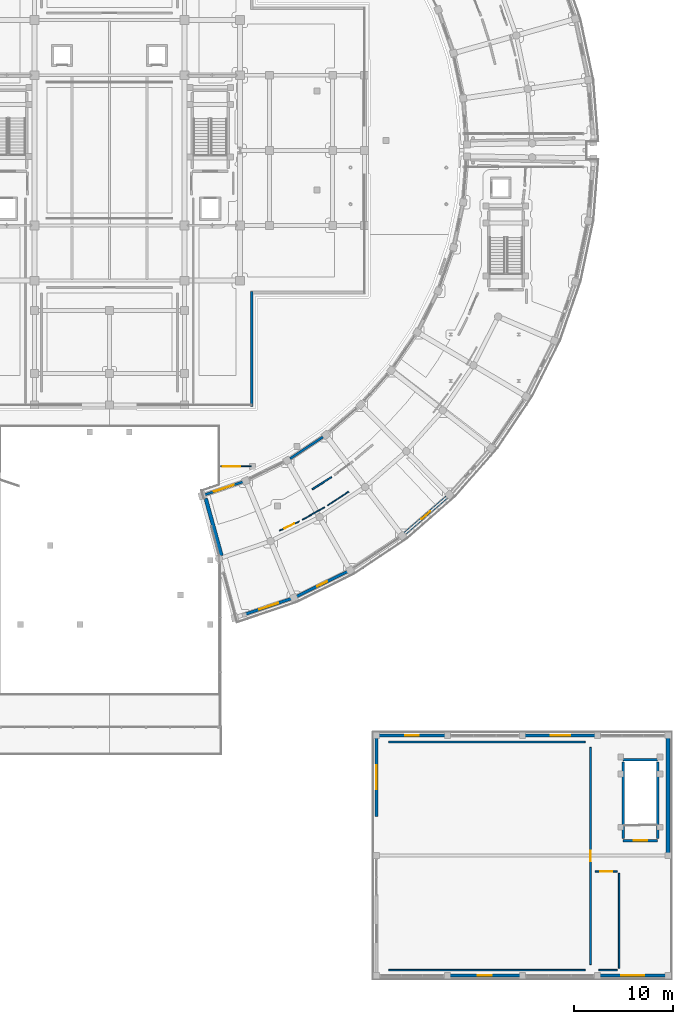
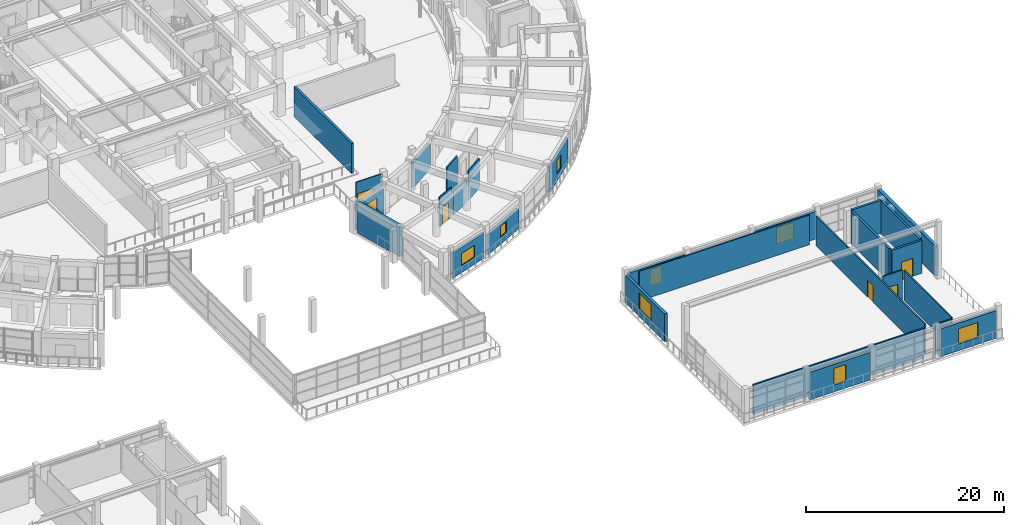
# One storey, part 57 of 87: 28 walls, 9 windows, 5 doors, 14 openings.
"""IFC4 building model written with IfcOpenShell, lengths in metres."""

from ifc_helpers import new_model, si_unit, direction, frame, frame_2d, origin, place, context, subcontext, project, spatial, rectangle, extrude, material, layer, layer_set, type_object, element, fill, save


model = new_model("IFC4")

# Units and contexts
model_context = context("Model", 3, precision=1e-05, world=origin(), true_north=direction((0.0, 1.0)))
body_context = subcontext(model_context, "Body", "Model", "MODEL_VIEW")
ifc_project = project(units=[si_unit("LENGTHUNIT", "METRE"), si_unit("AREAUNIT", "SQUARE_METRE"), si_unit("VOLUMEUNIT", "CUBIC_METRE"), si_unit("PLANEANGLEUNIT", "RADIAN"), si_unit("MASSUNIT", "GRAM", prefix="KILO")], contexts=[model_context])

# Site, building, storey
site_placement = place(None, origin())
site = spatial("IfcSite", under=ifc_project, at=site_placement, CompositionType="ELEMENT")
building_placement = place(site_placement, origin())
building = spatial("IfcBuilding", under=site, at=building_placement, Name="Saryqyr Civic Hall", CompositionType="ELEMENT")
storey_placement = place(building_placement, frame((0.0, 0.0, 5.10009765625)))
storey = spatial("IfcBuildingStorey", under=building, at=storey_placement, Name="L01", CompositionType="ELEMENT", Elevation=5.10009765625)

# Wall, opening, window
ifc_material_1 = material(Name="Precast concrete C40/50", Category="concrete")
ifc_layer_1 = layer(ifc_material_1, 0.239990234375, Name="Precast concrete C40/50")
ifc_layer_set_1 = layer_set([ifc_layer_1], Name="Precast concrete C40/50")
wall_type_1 = type_object("IfcWallType", Name="ENV-WAL-EXT-240", PredefinedType="STANDARD", material=ifc_layer_set_1)
wall_1_placement = place(storey_placement, frame((66.654296875, 49.1298828125, 0.0), z_axis=(0.0, 0.0, 1.0), x_axis=(0.947198607785, 0.320647465936, 0.0)))
wall_1 = element("IfcWall", 1, at=wall_1_placement, inside=storey, type_object=wall_type_1, Name="Exterior wall V5-EWI-L01-00", PredefinedType="STANDARD", context=body_context, shape_type="SweptSolid", body=[
    extrude(rectangle(XDim=4.073486328125, YDim=0.239990234375, at=frame_2d((2.03662109375, 0.0))), origin(), (0.0, 0.0, 1.0), 3.14501953125),
])
opening_1_placement = place(wall_1_placement, frame((0.987060546875, 0.0, 0.85009765625)))
opening_1 = element("IfcOpeningElement", 2, at=opening_1_placement, cuts=wall_1, Name="Opening W-21", PredefinedType="OPENING", context=body_context, shape_type="SweptSolid", body=[
    extrude(rectangle(XDim=2.10009765625, YDim=1.64990234375, at=frame_2d((1.050048828125, 0.824951171875))), frame((0.0, 0.1298828125, 0.0), z_axis=(0.0, -1.0, 0.0), x_axis=(1.0, 0.0, 0.0)), (0.0, 0.0, 1.0), 0.260009765625),
])
ifc_material_2 = material(Name="Anodised aluminium and triple low-E glass", Category="aluminium")
window_type_1 = type_object("IfcWindowType", Name="ENV-WIN-W21", PartitioningType="SINGLE_PANEL", PredefinedType="WINDOW", material=ifc_material_2)
window_1_placement = place(opening_1_placement, origin())
window_1 = element("IfcWindow", 3, at=window_1_placement, inside=storey, type_object=window_type_1, Name="Courtyard window V5-L01-00", OverallHeight=1.64990234375, OverallWidth=2.10009765625, PartitioningType="SINGLE_PANEL", PredefinedType="WINDOW", context=body_context, shape_type="SweptSolid", body=[
    extrude(rectangle(XDim=2.10009765625, YDim=1.64990234375, at=frame_2d((1.050048828125, 0.824951171875))), frame((0.0, 0.030029296875, 0.0), z_axis=(0.0, -1.0, 0.0), x_axis=(1.0, 0.0, 0.0)), (0.0, 0.0, 1.0), 0.06005859375),
])
fill(opening_1, window_1)

# Walls
wall_2_placement = place(storey_placement, frame((75.281005859375, 52.77880859375, 0.0), z_axis=(0.0, 0.0, 1.0), x_axis=(0.833749601332, 0.552142737233, 0.0)))
element("IfcWall", 4, at=wall_2_placement, inside=storey, type_object=wall_type_1, Name="Exterior wall V5-EWI-L01-02", PredefinedType="STANDARD", context=body_context, shape_type="SweptSolid", body=[
    extrude(rectangle(XDim=3.991455078125, YDim=0.239990234375, at=frame_2d((1.99560546875, 0.0))), origin(), (0.0, 0.0, 1.0), 3.14501953125),
])
ifc_layer_2 = layer(ifc_material_1, 0.27001953125, Name="Precast concrete C40/50")
ifc_layer_set_2 = layer_set([ifc_layer_2], Name="Precast concrete C40/50")
wall_type_2 = type_object("IfcWallType", Name="ENV-WAL-EXT-270", PredefinedType="STANDARD", material=ifc_layer_set_2)
wall_3_placement = place(storey_placement, frame((71.39990234375, 69.719970703125, 0.0), z_axis=(0.0, 0.0, 1.0), x_axis=(0.0, -1.0, 0.0)))
element("IfcWall", 5, at=wall_3_placement, inside=storey, type_object=wall_type_2, Name="Exterior wall V1-EW-L01-10", PredefinedType="STANDARD", context=body_context, shape_type="SweptSolid", body=[
    extrude(rectangle(XDim=11.639892578125, YDim=0.27001953125, at=frame_2d((5.81982421875, 0.0))), origin(), (0.0, 0.0, 1.0), 3.699951171875),
])

# Wall, opening, window
ifc_layer_3 = layer(ifc_material_1, 0.2900390625, Name="Precast concrete C40/50")
ifc_layer_set_3 = layer_set([ifc_layer_3], Name="Precast concrete C40/50")
wall_type_3 = type_object("IfcWallType", Name="ENV-WAL-EXT-290", PredefinedType="STANDARD", material=ifc_layer_set_3)
wall_4_placement = place(storey_placement, frame((75.391357421875, 38.602294921875, 0.0), z_axis=(0.0, 0.0, 1.0), x_axis=(-0.94719564036, -0.320656231631, 0.0)))
wall_4 = element("IfcWall", 6, at=wall_4_placement, inside=storey, type_object=wall_type_3, Name="Exterior wall V5-EWO-L01-00", PredefinedType="STANDARD", context=body_context, shape_type="SweptSolid", body=[
    extrude(rectangle(XDim=4.82568359375, YDim=0.2900390625, at=frame_2d((2.412841796875, 0.0))), origin(), (0.0, 0.0, 1.0), 3.14501953125),
])
opening_2_placement = place(wall_4_placement, frame((1.4130859375, 0.0, 0.85009765625)))
opening_2 = element("IfcOpeningElement", 7, at=opening_2_placement, cuts=wall_4, Name="Opening W-14", PredefinedType="OPENING", context=body_context, shape_type="SweptSolid", body=[
    extrude(rectangle(XDim=2.0, YDim=1.5, at=frame_2d((1.0, 0.75))), frame((0.0, 0.155029296875, 0.0), z_axis=(0.0, -1.0, 0.0), x_axis=(1.0, 0.0, 0.0)), (0.0, 0.0, 1.0), 0.31005859375),
])
window_type_2 = type_object("IfcWindowType", Name="ENV-WIN-W14", PartitioningType="SINGLE_PANEL", PredefinedType="WINDOW", material=ifc_material_2)
window_2_placement = place(opening_2_placement, origin())
window_2 = element("IfcWindow", 8, at=window_2_placement, inside=storey, type_object=window_type_2, Name="Exterior ribbon window V5-L01-00", OverallHeight=1.5, OverallWidth=2.0, PartitioningType="SINGLE_PANEL", PredefinedType="WINDOW", context=body_context, shape_type="SweptSolid", body=[
    extrude(rectangle(XDim=2.0, YDim=1.5, at=frame_2d((1.0, 0.75))), frame((0.0, 0.030029296875, 0.0), z_axis=(0.0, -1.0, 0.0), x_axis=(1.0, 0.0, 0.0)), (0.0, 0.0, 1.0), 0.06005859375),
])
fill(opening_2, window_2)

wall_5_placement = place(storey_placement, frame((81.07421875, 41.343994140625, 0.0), z_axis=(0.0, 0.0, 1.0), x_axis=(-0.897983185415, -0.440029770257, 0.0)))
wall_5 = element("IfcWall", 9, at=wall_5_placement, inside=storey, type_object=wall_type_3, Name="Exterior wall V5-EWO-L01-01", PredefinedType="STANDARD", context=body_context, shape_type="SweptSolid", body=[
    extrude(rectangle(XDim=5.693603515625, YDim=0.2900390625, at=frame_2d((2.8466796875, 0.0))), origin(), (0.0, 0.0, 1.0), 2.449951171875),
])
opening_3_placement = place(wall_5_placement, frame((2.297119140625, 0.0, 0.85009765625)))
opening_3 = element("IfcOpeningElement", 10, at=opening_3_placement, cuts=wall_5, Name="Opening W-01", PredefinedType="OPENING", context=body_context, shape_type="SweptSolid", body=[
    extrude(rectangle(XDim=1.10009765625, YDim=1.35009765625, at=frame_2d((0.550048828125, 0.675048828125))), frame((0.0, 0.155029296875, 0.0), z_axis=(0.0, -1.0, 0.0), x_axis=(1.0, 0.0, 0.0)), (0.0, 0.0, 1.0), 0.31005859375),
])
window_type_3 = type_object("IfcWindowType", Name="ENV-WIN-W01", PartitioningType="SINGLE_PANEL", PredefinedType="WINDOW", material=ifc_material_2)
window_3_placement = place(opening_3_placement, origin())
window_3 = element("IfcWindow", 11, at=window_3_placement, inside=storey, type_object=window_type_3, Name="Exterior ribbon window V5-L01-01", OverallHeight=1.35009765625, OverallWidth=1.10009765625, PartitioningType="SINGLE_PANEL", PredefinedType="WINDOW", context=body_context, shape_type="SweptSolid", body=[
    extrude(rectangle(XDim=1.10009765625, YDim=1.35009765625, at=frame_2d((0.550048828125, 0.675048828125))), frame((0.0, 0.030029296875, 0.0), z_axis=(0.0, -1.0, 0.0), x_axis=(1.0, 0.0, 0.0)), (0.0, 0.0, 1.0), 0.06005859375),
])
fill(opening_3, window_3)

wall_6_placement = place(storey_placement, frame((91.1328125, 48.875732421875, 0.0), z_axis=(0.0, 0.0, 1.0), x_axis=(-0.755658734158, -0.654965554431, 0.0)))
wall_6 = element("IfcWall", 12, at=wall_6_placement, inside=storey, type_object=wall_type_3, Name="Exterior wall V5-EWO-L01-03", PredefinedType="STANDARD", context=body_context, shape_type="SweptSolid", body=[
    extrude(rectangle(XDim=5.57421875, YDim=0.2900390625, at=frame_2d((2.787109375, 0.0))), origin(), (0.0, 0.0, 1.0), 3.14501953125),
])
opening_4_placement = place(wall_6_placement, frame((2.18701171875, 0.0, 0.85009765625)))
opening_4 = element("IfcOpeningElement", 13, at=opening_4_placement, cuts=wall_6, Name="Opening W-17", PredefinedType="OPENING", context=body_context, shape_type="SweptSolid", body=[
    extrude(rectangle(XDim=1.199951171875, YDim=1.64990234375, at=frame_2d((0.60009765625, 0.824951171875))), frame((0.0, 0.155029296875, 0.0), z_axis=(0.0, -1.0, 0.0), x_axis=(1.0, 0.0, 0.0)), (0.0, 0.0, 1.0), 0.31005859375),
])
window_type_4 = type_object("IfcWindowType", Name="ENV-WIN-W17", PartitioningType="SINGLE_PANEL", PredefinedType="WINDOW", material=ifc_material_2)
window_4_placement = place(opening_4_placement, origin())
window_4 = element("IfcWindow", 14, at=window_4_placement, inside=storey, type_object=window_type_4, Name="Exterior ribbon window V5-L01-03", OverallHeight=1.64990234375, OverallWidth=1.199951171875, PartitioningType="SINGLE_PANEL", PredefinedType="WINDOW", context=body_context, shape_type="SweptSolid", body=[
    extrude(rectangle(XDim=1.199951171875, YDim=1.64990234375, at=frame_2d((0.60009765625, 0.824951171875))), frame((0.0, 0.030029296875, 0.0), z_axis=(0.0, -1.0, 0.0), x_axis=(1.0, 0.0, 0.0)), (0.0, 0.0, 1.0), 0.06005859375),
])
fill(opening_4, window_4)

ifc_layer_4 = layer(ifc_material_1, 0.31005859375, Name="Precast concrete C40/50")
ifc_layer_set_4 = layer_set([ifc_layer_4], Name="Precast concrete C40/50")
wall_type_4 = type_object("IfcWallType", Name="ENV-WAL-EXT-310", PredefinedType="STANDARD", material=ifc_layer_set_4)
wall_7_placement = place(storey_placement, frame((113.31494140625, 0.449951171875, 0.0), z_axis=(0.0, 0.0, 1.0), x_axis=(-1.0, 0.0, 0.0)))
wall_7 = element("IfcWall", 15, at=wall_7_placement, inside=storey, type_object=wall_type_4, Name="Exterior wall V7E-EW-L01-0-0", PredefinedType="STANDARD", context=body_context, shape_type="SweptSolid", body=[
    extrude(rectangle(XDim=6.679931640625, YDim=0.31005859375, at=frame_2d((3.33984375, 0.0))), origin(), (0.0, 0.0, 1.0), 3.40478515625),
])
opening_5_placement = place(wall_7_placement, frame((2.18994140625, 0.0, 0.85009765625)))
opening_5 = element("IfcOpeningElement", 16, at=opening_5_placement, cuts=wall_7, Name="Opening W-29", PredefinedType="OPENING", context=body_context, shape_type="SweptSolid", body=[
    extrude(rectangle(XDim=2.300048828125, YDim=1.85009765625, at=frame_2d((1.14990234375, 0.925048828125))), frame((0.0, 0.1650390625, 0.0), z_axis=(0.0, -1.0, 0.0), x_axis=(1.0, 0.0, 0.0)), (0.0, 0.0, 1.0), 0.330078125),
])
window_type_5 = type_object("IfcWindowType", Name="ENV-WIN-W29", PartitioningType="SINGLE_PANEL", PredefinedType="WINDOW", material=ifc_material_2)
window_5_placement = place(opening_5_placement, origin())
window_5 = element("IfcWindow", 17, at=window_5_placement, inside=storey, type_object=window_type_5, Name="Gatehouse window E-L01-0-0", OverallHeight=1.85009765625, OverallWidth=2.300048828125, PartitioningType="SINGLE_PANEL", PredefinedType="WINDOW", context=body_context, shape_type="SweptSolid", body=[
    extrude(rectangle(XDim=2.300048828125, YDim=1.85009765625, at=frame_2d((1.14990234375, 0.925048828125))), frame((0.0, 0.030029296875, 0.0), z_axis=(0.0, -1.0, 0.0), x_axis=(1.0, 0.0, 0.0)), (0.0, 0.0, 1.0), 0.06005859375),
])
fill(opening_5, window_5)

wall_8_placement = place(storey_placement, frame((98.56494140625, 0.449951171875, 0.0), z_axis=(0.0, 0.0, 1.0), x_axis=(-1.0, 0.0, 0.0)))
wall_8 = element("IfcWall", 18, at=wall_8_placement, inside=storey, type_object=wall_type_4, Name="Exterior wall V7E-EW-L01-0-2", PredefinedType="STANDARD", context=body_context, shape_type="SweptSolid", body=[
    extrude(rectangle(XDim=7.1298828125, YDim=0.31005859375, at=frame_2d((3.56494140625, 0.0))), origin(), (0.0, 0.0, 1.0), 3.40478515625),
])
opening_6_placement = place(wall_8_placement, frame((2.864990234375, 0.0, 0.85009765625)))
opening_6 = element("IfcOpeningElement", 19, at=opening_6_placement, cuts=wall_8, Name="Opening W-31", PredefinedType="OPENING", context=body_context, shape_type="SweptSolid", body=[
    extrude(rectangle(XDim=1.39990234375, YDim=2.050048828125, at=frame_2d((0.699951171875, 1.02490234375))), frame((0.0, 0.1650390625, 0.0), z_axis=(0.0, -1.0, 0.0), x_axis=(1.0, 0.0, 0.0)), (0.0, 0.0, 1.0), 0.330078125),
])
window_type_6 = type_object("IfcWindowType", Name="ENV-WIN-W31", PartitioningType="SINGLE_PANEL", PredefinedType="WINDOW", material=ifc_material_2)
window_6_placement = place(opening_6_placement, origin())
window_6 = element("IfcWindow", 20, at=window_6_placement, inside=storey, type_object=window_type_6, Name="Gatehouse window E-L01-0-2", OverallHeight=2.050048828125, OverallWidth=1.39990234375, PartitioningType="SINGLE_PANEL", PredefinedType="WINDOW", context=body_context, shape_type="SweptSolid", body=[
    extrude(rectangle(XDim=1.39990234375, YDim=2.050048828125, at=frame_2d((0.699951171875, 1.02490234375))), frame((0.0, 0.030029296875, 0.0), z_axis=(0.0, -1.0, 0.0), x_axis=(1.0, 0.0, 0.0)), (0.0, 0.0, 1.0), 0.06005859375),
])
fill(opening_6, window_6)

wall_9_placement = place(storey_placement, frame((84.284912109375, 24.75, 0.0), z_axis=(0.0, 0.0, 1.0), x_axis=(1.0, 0.0, 0.0)))
wall_9 = element("IfcWall", 21, at=wall_9_placement, inside=storey, type_object=wall_type_4, Name="Exterior wall V7E-EW-L01-2-0", PredefinedType="STANDARD", context=body_context, shape_type="SweptSolid", body=[
    extrude(rectangle(XDim=6.68017578125, YDim=0.31005859375, at=frame_2d((3.340087890625, 0.0))), origin(), (0.0, 0.0, 1.0), 3.40478515625),
])
opening_7_placement = place(wall_9_placement, frame((2.639892578125, 0.0, 0.85009765625)))
opening_7 = element("IfcOpeningElement", 22, at=opening_7_placement, cuts=wall_9, Name="Opening W-31", PredefinedType="OPENING", context=body_context, shape_type="SweptSolid", body=[
    extrude(rectangle(XDim=1.39990234375, YDim=2.050048828125, at=frame_2d((0.699951171875, 1.02490234375))), frame((0.0, 0.1650390625, 0.0), z_axis=(0.0, -1.0, 0.0), x_axis=(1.0, 0.0, 0.0)), (0.0, 0.0, 1.0), 0.330078125),
])
window_7_placement = place(opening_7_placement, origin())
window_7 = element("IfcWindow", 23, at=window_7_placement, inside=storey, type_object=window_type_6, Name="Gatehouse window E-L01-2-0", OverallHeight=2.050048828125, OverallWidth=1.39990234375, PartitioningType="SINGLE_PANEL", PredefinedType="WINDOW", context=body_context, shape_type="SweptSolid", body=[
    extrude(rectangle(XDim=1.39990234375, YDim=2.050048828125, at=frame_2d((0.699951171875, 1.02490234375))), frame((0.0, 0.030029296875, 0.0), z_axis=(0.0, -1.0, 0.0), x_axis=(1.0, 0.0, 0.0)), (0.0, 0.0, 1.0), 0.06005859375),
])
fill(opening_7, window_7)

wall_10_placement = place(storey_placement, frame((99.034912109375, 24.75, 0.0), z_axis=(0.0, 0.0, 1.0), x_axis=(1.0, 0.0, 0.0)))
wall_10 = element("IfcWall", 24, at=wall_10_placement, inside=storey, type_object=wall_type_4, Name="Exterior wall V7E-EW-L01-2-2", PredefinedType="STANDARD", context=body_context, shape_type="SweptSolid", body=[
    extrude(rectangle(XDim=7.25, YDim=0.31005859375, at=frame_2d((3.625, 0.0))), origin(), (0.0, 0.0, 1.0), 3.40478515625),
])
opening_8_placement = place(wall_10_placement, frame((2.625, 0.0, 0.85009765625)))
opening_8 = element("IfcOpeningElement", 25, at=opening_8_placement, cuts=wall_10, Name="Opening W-33", PredefinedType="OPENING", context=body_context, shape_type="SweptSolid", body=[
    extrude(rectangle(XDim=2.0, YDim=2.050048828125, at=frame_2d((1.0, 1.02490234375))), frame((0.0, 0.1650390625, 0.0), z_axis=(0.0, -1.0, 0.0), x_axis=(1.0, 0.0, 0.0)), (0.0, 0.0, 1.0), 0.330078125),
])
window_type_7 = type_object("IfcWindowType", Name="ENV-WIN-W33", PartitioningType="SINGLE_PANEL", PredefinedType="WINDOW", material=ifc_material_2)
window_8_placement = place(opening_8_placement, origin())
window_8 = element("IfcWindow", 26, at=window_8_placement, inside=storey, type_object=window_type_7, Name="Gatehouse window E-L01-2-2", OverallHeight=2.050048828125, OverallWidth=2.0, PartitioningType="SINGLE_PANEL", PredefinedType="WINDOW", context=body_context, shape_type="SweptSolid", body=[
    extrude(rectangle(XDim=2.0, YDim=2.050048828125, at=frame_2d((1.0, 1.02490234375))), frame((0.0, 0.030029296875, 0.0), z_axis=(0.0, -1.0, 0.0), x_axis=(1.0, 0.0, 0.0)), (0.0, 0.0, 1.0), 0.06005859375),
])
fill(opening_8, window_8)

wall_11_placement = place(storey_placement, frame((84.050048828125, 16.530029296875, 0.0), z_axis=(0.0, 0.0, 1.0), x_axis=(0.0, 1.0, 0.0)))
wall_11 = element("IfcWall", 27, at=wall_11_placement, inside=storey, type_object=wall_type_4, Name="Exterior wall V7E-EW-L01-3-2", PredefinedType="STANDARD", context=body_context, shape_type="SweptSolid", body=[
    extrude(rectangle(XDim=7.98486328125, YDim=0.31005859375, at=frame_2d((3.992431640625, 0.0))), origin(), (0.0, 0.0, 1.0), 3.40478515625),
])
opening_9_placement = place(wall_11_placement, frame((2.7919921875, 0.0, 0.85009765625)))
opening_9 = element("IfcOpeningElement", 28, at=opening_9_placement, cuts=wall_11, Name="Opening W-34", PredefinedType="OPENING", context=body_context, shape_type="SweptSolid", body=[
    extrude(rectangle(XDim=2.39990234375, YDim=2.050048828125, at=frame_2d((1.199951171875, 1.02490234375))), frame((0.0, 0.1650390625, 0.0), z_axis=(0.0, -1.0, 0.0), x_axis=(1.0, 0.0, 0.0)), (0.0, 0.0, 1.0), 0.330078125),
])
window_type_8 = type_object("IfcWindowType", Name="ENV-WIN-W34", PartitioningType="SINGLE_PANEL", PredefinedType="WINDOW", material=ifc_material_2)
window_9_placement = place(opening_9_placement, origin())
window_9 = element("IfcWindow", 29, at=window_9_placement, inside=storey, type_object=window_type_8, Name="Gatehouse window E-L01-3-2", OverallHeight=2.050048828125, OverallWidth=2.39990234375, PartitioningType="SINGLE_PANEL", PredefinedType="WINDOW", context=body_context, shape_type="SweptSolid", body=[
    extrude(rectangle(XDim=2.39990234375, YDim=2.050048828125, at=frame_2d((1.199951171875, 1.02490234375))), frame((0.0, 0.030029296875, 0.0), z_axis=(0.0, -1.0, 0.0), x_axis=(1.0, 0.0, 0.0)), (0.0, 0.0, 1.0), 0.06005859375),
])
fill(opening_9, window_9)

# Walls
ifc_material_3 = material(Name="Concrete C40/50", Category="concrete")
ifc_layer_5 = layer(ifc_material_3, 0.3798828125, Name="Concrete C40/50")
ifc_layer_set_5 = layer_set([ifc_layer_5], Name="Concrete C40/50")
wall_type_5 = type_object("IfcWallType", Name="ENV-WAL-PTY-380", PredefinedType="SHEAR", material=ifc_layer_set_5)
wall_12_placement = place(storey_placement, frame((68.340576171875, 42.968505859375, 0.0), z_axis=(0.0, 0.0, 1.0), x_axis=(-0.266413711987, 0.963858772884, 0.0)))
element("IfcWall", 30, at=wall_12_placement, inside=storey, type_object=wall_type_5, Name="Exterior wall V5-JNTW-A-L01", PredefinedType="SHEAR", context=body_context, shape_type="SweptSolid", body=[
    extrude(rectangle(XDim=6.019775390625, YDim=0.3798828125, at=frame_2d((3.009765625, 0.0))), origin(), (0.0, 0.0, 1.0), 3.75),
])
wall_13_placement = place(storey_placement, frame((113.550048828125, 24.514892578125, 0.0), z_axis=(0.0, 0.0, 1.0), x_axis=(0.0, -1.0, 0.0)))
element("IfcWall", 31, at=wall_13_placement, inside=storey, type_object=wall_type_5, Name="Exterior wall V7E-PTY-L01", PredefinedType="SHEAR", context=body_context, shape_type="SweptSolid", body=[
    extrude(rectangle(XDim=11.679931640625, YDim=0.3798828125, at=frame_2d((5.83984375, 0.0))), origin(), (0.0, 0.0, 1.0), 3.699951171875),
])
ifc_material_4 = material(Name="Moisture-resistant gypsum partition", Category="gypsum")
ifc_layer_6 = layer(ifc_material_4, 0.110107421875, Name="Moisture-resistant gypsum partition")
ifc_layer_set_6 = layer_set([ifc_layer_6], Name="Moisture-resistant gypsum partition")
wall_type_6 = type_object("IfcWallType", Name="INT-WAL-PRT-110", PredefinedType="PARTITIONING", material=ifc_layer_set_6)
wall_14_placement = place(storey_placement, frame((76.531005859375, 46.598388671875, 0.0), z_axis=(0.0, 0.0, 1.0), x_axis=(0.871933239337, 0.489624780969, 0.0)))
element("IfcWall", 32, at=wall_14_placement, inside=storey, type_object=wall_type_6, Name="Interior partition PRT-SP-V5-L01-R01-W1", PredefinedType="PARTITIONING", context=body_context, shape_type="SweptSolid", body=[
    extrude(rectangle(XDim=2.568359375, YDim=0.110107421875, at=frame_2d((1.2841796875, 0.0))), origin(), (0.0, 0.0, 1.0), 2.994873046875),
])

# Wall, opening, door
wall_15_placement = place(storey_placement, frame((74.224853515625, 45.492431640625, 0.0), z_axis=(0.0, 0.0, 1.0), x_axis=(0.903753669118, 0.428052923778, 0.0)))
wall_15 = element("IfcWall", 33, at=wall_15_placement, inside=storey, type_object=wall_type_6, Name="Interior partition PRT-SP-V5-L01-R01-W2", PredefinedType="PARTITIONING", context=body_context, shape_type="SweptSolid", body=[
    extrude(rectangle(XDim=2.1982421875, YDim=0.110107421875, at=frame_2d((1.09912109375, 0.0))), origin(), (0.0, 0.0, 1.0), 3.679931640625),
])
opening_10_placement = place(wall_15_placement, frame((0.549072265625, 0.0, 0.0)))
opening_10 = element("IfcOpeningElement", 34, at=opening_10_placement, cuts=wall_15, Name="Opening D-05", PredefinedType="OPENING", context=body_context, shape_type="SweptSolid", body=[
    extrude(rectangle(XDim=1.10009765625, YDim=2.10009765625, at=frame_2d((0.550048828125, 1.050048828125))), frame((0.0, 0.06494140625, 0.0), z_axis=(0.0, -1.0, 0.0), x_axis=(1.0, 0.0, 0.0)), (0.0, 0.0, 1.0), 0.130126953125),
])
ifc_material_5 = material(Name="Acoustic solid-core oak veneer", Category="wood")
door_type_1 = type_object("IfcDoorType", Name="INT-DR-D-05", OperationType="NOTDEFINED", PredefinedType="DOOR", material=ifc_material_5)
door_1_placement = place(opening_10_placement, origin())
door_1 = element("IfcDoor", 35, at=door_1_placement, inside=storey, type_object=door_type_1, Name="Interior door Accredited Press Workroom & Media Lounge", OperationType="SINGLE_SWING_RIGHT", OverallHeight=2.10009765625, OverallWidth=1.10009765625, PredefinedType="DOOR", context=body_context, shape_type="SweptSolid", body=[
    extrude(rectangle(XDim=1.10009765625, YDim=2.10009765625, at=frame_2d((0.550048828125, 1.050048828125))), frame((0.0, 0.02490234375, 0.0), z_axis=(0.0, -1.0, 0.0), x_axis=(1.0, 0.0, 0.0)), (0.0, 0.0, 1.0), 0.050048828125),
])
fill(opening_10, door_1)

# Wall
wall_16_placement = place(storey_placement, frame((79.077880859375, 48.042724609375, 0.0), z_axis=(0.0, 0.0, 1.0), x_axis=(0.835818901332, 0.54900524968, 0.0)))
element("IfcWall", 36, at=wall_16_placement, inside=storey, type_object=wall_type_6, Name="Interior partition PRT-SP-V5-L01-R01-W3", PredefinedType="PARTITIONING", context=body_context, shape_type="SweptSolid", body=[
    extrude(rectangle(XDim=2.568115234375, YDim=0.110107421875, at=frame_2d((1.2841796875, 0.0))), origin(), (0.0, 0.0, 1.0), 3.679931640625),
])

# Wall, opening, door
wall_17_placement = place(storey_placement, frame((71.335693359375, 52.0, 0.0), z_axis=(0.0, 0.0, 1.0), x_axis=(-1.0, 0.0, 0.0)))
wall_17 = element("IfcWall", 37, at=wall_17_placement, inside=storey, type_object=wall_type_6, Name="Interior partition PRT-SP-V2-L01-EGAL-W1", PredefinedType="PARTITIONING", context=body_context, shape_type="SweptSolid", body=[
    extrude(rectangle(XDim=3.07568359375, YDim=0.110107421875, at=frame_2d((1.537841796875, 0.0))), origin(), (0.0, 0.0, 1.0), 3.679931640625),
])
opening_11_placement = place(wall_17_placement, frame((1.087890625, 0.0, 0.0)))
opening_11 = element("IfcOpeningElement", 38, at=opening_11_placement, cuts=wall_17, Name="Opening D-15", PredefinedType="OPENING", context=body_context, shape_type="SweptSolid", body=[
    extrude(rectangle(XDim=1.800048828125, YDim=2.219970703125, at=frame_2d((0.89990234375, 1.10986328125))), frame((0.0, 0.06494140625, 0.0), z_axis=(0.0, -1.0, 0.0), x_axis=(1.0, 0.0, 0.0)), (0.0, 0.0, 1.0), 0.130126953125),
])
door_type_2 = type_object("IfcDoorType", Name="INT-DR-D-15", OperationType="NOTDEFINED", PredefinedType="DOOR", material=ifc_material_5)
door_2_placement = place(opening_11_placement, origin())
door_2 = element("IfcDoor", 39, at=door_2_placement, inside=storey, type_object=door_type_2, Name="Interior door Public Exhibition Mezzanine East", OperationType="DOUBLE_DOOR_SINGLE_SWING", OverallHeight=2.219970703125, OverallWidth=1.800048828125, PredefinedType="DOOR", context=body_context, shape_type="SweptSolid", body=[
    extrude(rectangle(XDim=1.800048828125, YDim=2.219970703125, at=frame_2d((0.89990234375, 1.10986328125))), frame((0.0, 0.02490234375, 0.0), z_axis=(0.0, -1.0, 0.0), x_axis=(1.0, 0.0, 0.0)), (0.0, 0.0, 1.0), 0.050048828125),
])
fill(opening_11, door_2)

# Wall
ifc_material_6 = material(Name="Acoustic double-stud gypsum board", Category="gypsum")
ifc_layer_7 = layer(ifc_material_6, 0.155029296875, Name="Acoustic double-stud gypsum board")
ifc_layer_set_7 = layer_set([ifc_layer_7], Name="Acoustic double-stud gypsum board")
wall_type_7 = type_object("IfcWallType", Name="INT-WAL-PRT-155", PredefinedType="PARTITIONING", material=ifc_layer_set_7)
wall_18_placement = place(storey_placement, frame((79.472900390625, 50.91650390625, 0.0), z_axis=(0.0, 0.0, 1.0), x_axis=(-0.843009303059, -0.537898982111, 0.0)))
element("IfcWall", 40, at=wall_18_placement, inside=storey, type_object=wall_type_7, Name="Interior partition PRT-SP-V5-L01-R04-W2", PredefinedType="PARTITIONING", context=body_context, shape_type="SweptSolid", body=[
    extrude(rectangle(XDim=2.298828125, YDim=0.155029296875, at=frame_2d((1.1494140625, 0.0))), origin(), (0.0, 0.0, 1.0), 3.679931640625),
])

# Wall, opening, door
wall_19_placement = place(storey_placement, frame((106.179931640625, 10.97998046875, 0.0), z_axis=(0.0, 0.0, 1.0), x_axis=(1.0, 0.0, 0.0)))
wall_19 = element("IfcWall", 41, at=wall_19_placement, inside=storey, type_object=wall_type_7, Name="Interior partition PRT-SP-V7E-L01-R10-W1", PredefinedType="PARTITIONING", context=body_context, shape_type="SweptSolid", body=[
    extrude(rectangle(XDim=2.239990234375, YDim=0.155029296875, at=frame_2d((1.1201171875, 0.0))), origin(), (0.0, 0.0, 1.0), 3.669921875),
])
opening_12_placement = place(wall_19_placement, frame((0.52001953125, 0.0, 0.0)))
opening_12 = element("IfcOpeningElement", 42, at=opening_12_placement, cuts=wall_19, Name="Opening D-06", PredefinedType="OPENING", context=body_context, shape_type="SweptSolid", body=[
    extrude(rectangle(XDim=1.199951171875, YDim=2.10009765625, at=frame_2d((0.60009765625, 1.050048828125))), frame((0.0, 0.08740234375, 0.0), z_axis=(0.0, -1.0, 0.0), x_axis=(1.0, 0.0, 0.0)), (0.0, 0.0, 1.0), 0.175048828125),
])
door_type_3 = type_object("IfcDoorType", Name="INT-DR-D-06", OperationType="NOTDEFINED", PredefinedType="DOOR", material=ifc_material_5)
door_3_placement = place(opening_12_placement, origin())
door_3 = element("IfcDoor", 43, at=door_3_placement, inside=storey, type_object=door_type_3, Name="Interior door Press Green Room & Accessible MGN WC", OperationType="SINGLE_SWING_LEFT", OverallHeight=2.10009765625, OverallWidth=1.199951171875, PredefinedType="DOOR", context=body_context, shape_type="SweptSolid", body=[
    extrude(rectangle(XDim=1.199951171875, YDim=2.10009765625, at=frame_2d((0.60009765625, 1.050048828125))), frame((0.0, 0.02490234375, 0.0), z_axis=(0.0, -1.0, 0.0), x_axis=(1.0, 0.0, 0.0)), (0.0, 0.0, 1.0), 0.050048828125),
])
fill(opening_12, door_3)

# Walls
wall_20_placement = place(storey_placement, frame((108.60009765625, 10.800048828125, 0.0), z_axis=(0.0, 0.0, 1.0), x_axis=(0.0, -1.0, 0.0)))
element("IfcWall", 44, at=wall_20_placement, inside=storey, type_object=wall_type_7, Name="Interior partition PRT-SP-V7E-L01-R10-W2", PredefinedType="PARTITIONING", context=body_context, shape_type="SweptSolid", body=[
    extrude(rectangle(XDim=9.6201171875, YDim=0.155029296875, at=frame_2d((4.81005859375, 0.0))), origin(), (0.0, 0.0, 1.0), 3.669921875),
])
wall_21_placement = place(storey_placement, frame((108.419921875, 1.0, 0.0), z_axis=(0.0, 0.0, 1.0), x_axis=(-1.0, 0.0, 0.0)))
element("IfcWall", 45, at=wall_21_placement, inside=storey, type_object=wall_type_7, Name="Interior partition PRT-SP-V7E-L01-R10-W3", PredefinedType="PARTITIONING", context=body_context, shape_type="SweptSolid", body=[
    extrude(rectangle(XDim=1.869873046875, YDim=0.155029296875, at=frame_2d((0.93505859375, 0.0))), origin(), (0.0, 0.0, 1.0), 3.669921875),
])

# Wall, opening, door
ifc_layer_8 = layer(ifc_material_6, 0.169921875, Name="Acoustic double-stud gypsum board")
ifc_layer_set_8 = layer_set([ifc_layer_8], Name="Acoustic double-stud gypsum board")
wall_type_8 = type_object("IfcWallType", Name="INT-WAL-PRT-170", PredefinedType="PARTITIONING", material=ifc_layer_set_8)
wall_22_placement = place(storey_placement, frame((105.699951171875, 23.550048828125, 0.0), z_axis=(0.0, 0.0, 1.0), x_axis=(0.0, -1.0, 0.0)))
wall_22 = element("IfcWall", 46, at=wall_22_placement, inside=storey, type_object=wall_type_8, Name="Interior partition PRT-SP-V7E-L01-R09-W1", PredefinedType="PARTITIONING", context=body_context, shape_type="SweptSolid", body=[
    extrude(rectangle(XDim=22.0, YDim=0.169921875, at=frame_2d((11.0, 0.0))), origin(), (0.0, 0.0, 1.0), 3.669921875),
])
opening_13_placement = place(wall_22_placement, frame((10.449951171875, 0.0, 0.0)))
opening_13 = element("IfcOpeningElement", 47, at=opening_13_placement, cuts=wall_22, Name="Opening D-05", PredefinedType="OPENING", context=body_context, shape_type="SweptSolid", body=[
    extrude(rectangle(XDim=1.10009765625, YDim=2.10009765625, at=frame_2d((0.550048828125, 1.050048828125))), frame((0.0, 0.094970703125, 0.0), z_axis=(0.0, -1.0, 0.0), x_axis=(1.0, 0.0, 0.0)), (0.0, 0.0, 1.0), 0.18994140625),
])
door_4_placement = place(opening_13_placement, origin())
door_4 = element("IfcDoor", 48, at=door_4_placement, inside=storey, type_object=door_type_1, Name="Interior door Column-Free Municipal Press Conference Hall", OperationType="SINGLE_SWING_RIGHT", OverallHeight=2.10009765625, OverallWidth=1.10009765625, PredefinedType="DOOR", context=body_context, shape_type="SweptSolid", body=[
    extrude(rectangle(XDim=1.10009765625, YDim=2.10009765625, at=frame_2d((0.550048828125, 1.050048828125))), frame((0.0, 0.02490234375, 0.0), z_axis=(0.0, -1.0, 0.0), x_axis=(1.0, 0.0, 0.0)), (0.0, 0.0, 1.0), 0.050048828125),
])
fill(opening_13, door_4)

# Walls
for number, where, z_axis, x_axis, name in (
    (49, (85.25, 24.10009765625, 0.0), (0.0, 0.0, 1.0), (1.0, 0.0, 0.0), "Interior partition PRT-SP-V7E-L01-R09-W2"),
    (50, (105.14990234375, 1.0, 0.0), (0.0, 0.0, 1.0), (-1.0, 0.0, 0.0), "Interior partition PRT-SP-V7E-L01-R09-W3"),
):
    element("IfcWall", number, at=place(storey_placement, frame(where, z_axis=z_axis, x_axis=x_axis)), inside=storey, type_object=wall_type_8, Name=name, PredefinedType="PARTITIONING", context=body_context, shape_type="SweptSolid", body=[
        extrude(rectangle(XDim=19.89990234375, YDim=0.169921875, at=frame_2d((9.949951171875, 0.0))), origin(), (0.0, 0.0, 1.0), 3.669921875),
    ])

# Wall, opening, door
ifc_layer_9 = layer(ifc_material_3, 0.25, Name="Concrete C40/50")
ifc_layer_set_9 = layer_set([ifc_layer_9], Name="Concrete C40/50")
wall_type_9 = type_object("IfcWallType", Name="INT-WAL-SHR-250", PredefinedType="SHEAR", material=ifc_layer_set_9)
wall_23_placement = place(storey_placement, frame((112.5, 14.10009765625, 0.0), z_axis=(0.0, 0.0, 1.0), x_axis=(-1.0, 0.0, 0.0)))
wall_23 = element("IfcWall", 51, at=wall_23_placement, inside=storey, type_object=wall_type_9, Name="Protected stair shaft wall ST-8-SW1-L01", PredefinedType="SHEAR", context=body_context, shape_type="SweptSolid", body=[
    extrude(rectangle(XDim=3.5, YDim=0.25, at=frame_2d((1.75, 0.0))), origin(), (0.0, 0.0, 1.0), 4.0498046875),
])
opening_14_placement = place(wall_23_placement, frame((1.074951171875, 0.0, 0.0)))
opening_14 = element("IfcOpeningElement", 52, at=opening_14_placement, cuts=wall_23, Name="Opening SD-01", PredefinedType="OPENING", context=body_context, shape_type="SweptSolid", body=[
    extrude(rectangle(XDim=1.35009765625, YDim=2.199951171875, at=frame_2d((0.675048828125, 1.10009765625))), frame((0.0, 0.135009765625, 0.0), z_axis=(0.0, -1.0, 0.0), x_axis=(1.0, 0.0, 0.0)), (0.0, 0.0, 1.0), 0.27001953125),
])
ifc_material_7 = material(Name="Painted galvanized steel", Category="steel")
door_type_4 = type_object("IfcDoorType", Name="INT-DR-STAIR-1350x2200", OperationType="NOTDEFINED", PredefinedType="DOOR", material=ifc_material_7)
door_5_placement = place(opening_14_placement, origin())
door_5 = element("IfcDoor", 53, at=door_5_placement, inside=storey, type_object=door_type_4, Name="Exit stair landing fire door ST-8-L01", OperationType="SINGLE_SWING_RIGHT", OverallHeight=2.199951171875, OverallWidth=1.35009765625, PredefinedType="DOOR", context=body_context, shape_type="SweptSolid", body=[
    extrude(rectangle(XDim=1.35009765625, YDim=2.199951171875, at=frame_2d((0.675048828125, 1.10009765625))), frame((0.0, 0.02490234375, 0.0), z_axis=(0.0, -1.0, 0.0), x_axis=(1.0, 0.0, 0.0)), (0.0, 0.0, 1.0), 0.050048828125),
])
fill(opening_14, door_5)

# Walls
wall_24_placement = place(storey_placement, frame((109.0, 14.35009765625, 0.0), z_axis=(0.0, 0.0, 1.0), x_axis=(0.0, 1.0, 0.0)))
element("IfcWall", 54, at=wall_24_placement, inside=storey, type_object=wall_type_9, Name="Protected stair shaft wall ST-8-SW2-L01", PredefinedType="SHEAR", context=body_context, shape_type="SweptSolid", body=[
    extrude(rectangle(XDim=7.699951171875, YDim=0.25, at=frame_2d((3.85009765625, 0.0))), origin(), (0.0, 0.0, 1.0), 4.0498046875),
])
wall_25_placement = place(storey_placement, frame((109.0, 22.300048828125, 0.0), z_axis=(0.0, 0.0, 1.0), x_axis=(1.0, 0.0, 0.0)))
element("IfcWall", 55, at=wall_25_placement, inside=storey, type_object=wall_type_9, Name="Protected stair shaft wall ST-8-SW3-L01", PredefinedType="SHEAR", context=body_context, shape_type="SweptSolid", body=[
    extrude(rectangle(XDim=3.5, YDim=0.25, at=frame_2d((1.75, 0.0))), origin(), (0.0, 0.0, 1.0), 4.0498046875),
])
wall_26_placement = place(storey_placement, frame((112.5, 22.050048828125, 0.0), z_axis=(0.0, 0.0, 1.0), x_axis=(0.0, -1.0, 0.0)))
element("IfcWall", 56, at=wall_26_placement, inside=storey, type_object=wall_type_9, Name="Protected stair shaft wall ST-8-SW4-L01", PredefinedType="SHEAR", context=body_context, shape_type="SweptSolid", body=[
    extrude(rectangle(XDim=7.699951171875, YDim=0.25, at=frame_2d((3.85009765625, 0.0))), origin(), (0.0, 0.0, 1.0), 4.0498046875),
])

save(model, "model.ifc")
